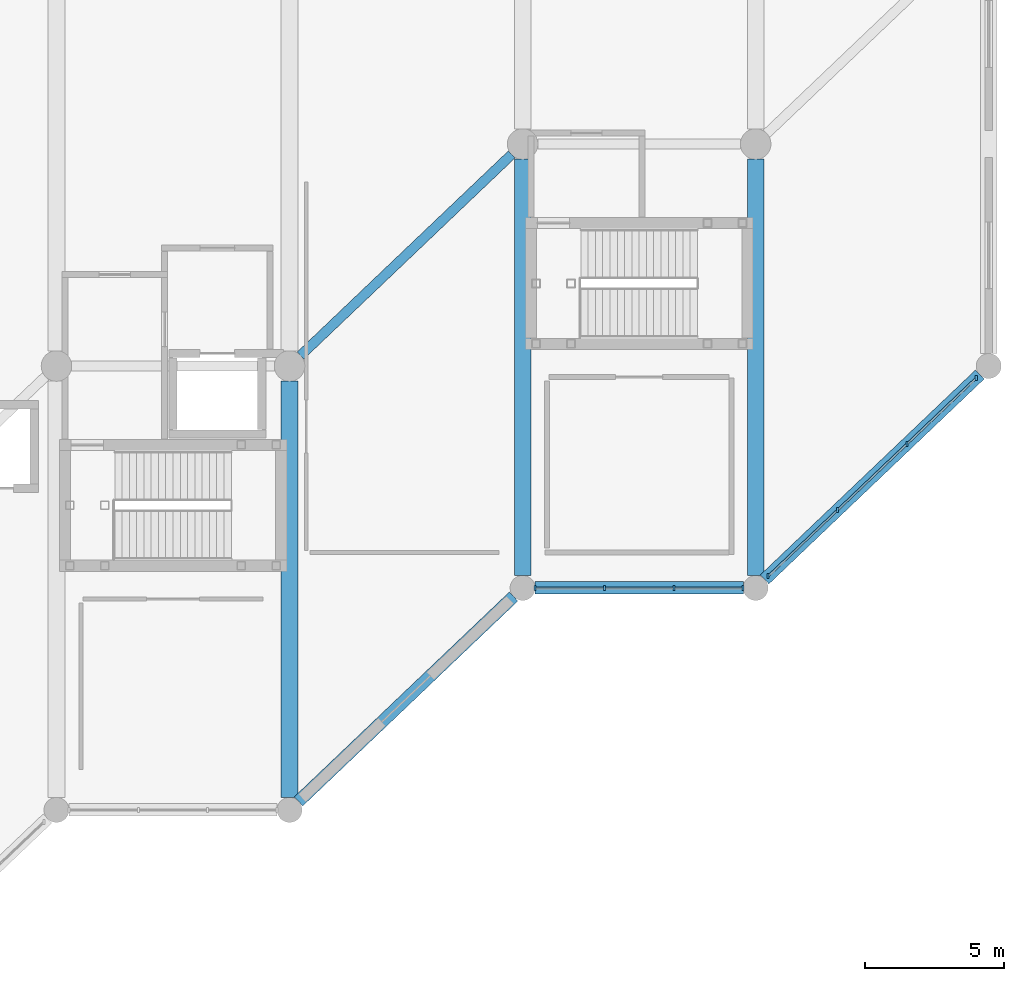
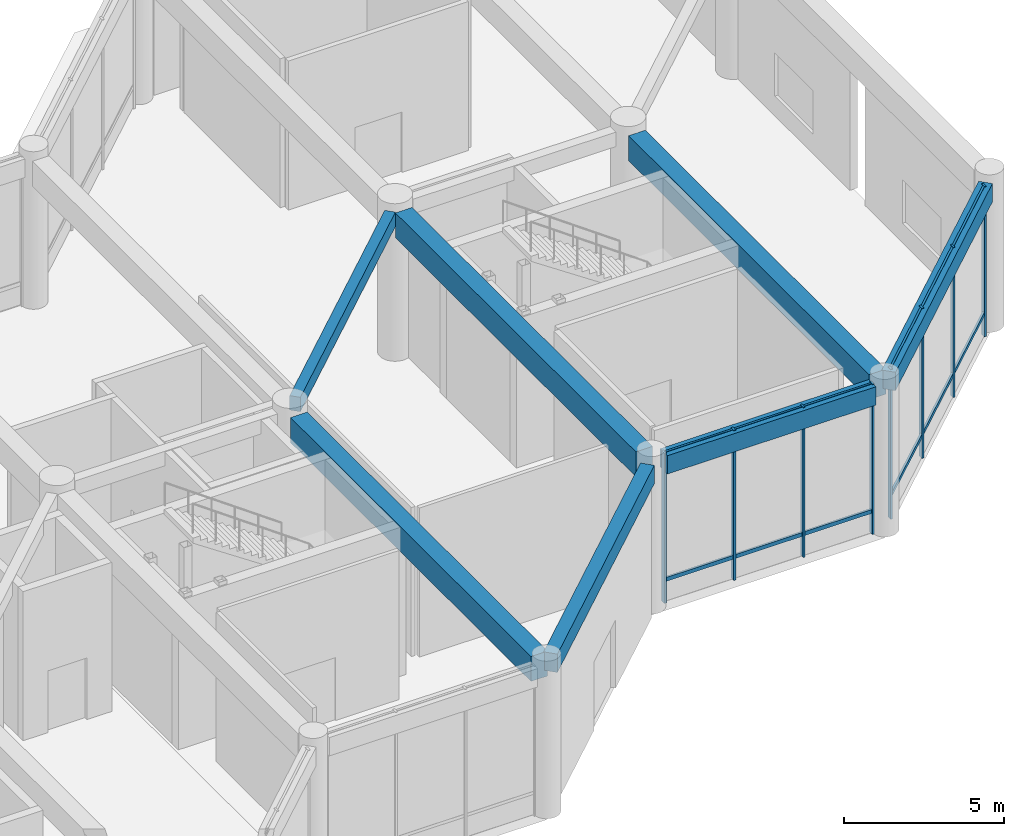
# One storey, part 40 of 76: 20 members, 7 beams, 2 elements without a shape of their own.
"""IFC4 building model written with IfcOpenShell, lengths in metres."""

from ifc_helpers import new_model, si_unit, direction, frame, origin, origin_2d, place, context, subcontext, project, spatial, rectangle, extrude, material, layer, layer_set, material_profile, profile_set, type_object, element, aggregate, save


model = new_model("IFC4")

# Units and contexts
model_context = context("Model", 3, precision=1e-05, world=origin(), true_north=direction((0.0, 1.0)))
body_context = subcontext(model_context, "Body", "Model", "MODEL_VIEW")
ifc_project = project(units=[si_unit("LENGTHUNIT", "METRE"), si_unit("AREAUNIT", "SQUARE_METRE"), si_unit("VOLUMEUNIT", "CUBIC_METRE"), si_unit("PLANEANGLEUNIT", "RADIAN"), si_unit("MASSUNIT", "GRAM", prefix="KILO")], contexts=[model_context])

# Site, building, storey
site_placement = place(None, origin())
site = spatial("IfcSite", under=ifc_project, at=site_placement, CompositionType="ELEMENT")
building_placement = place(site_placement, origin())
building = spatial("IfcBuilding", under=site, at=building_placement, Name="Naruveol Harbour Congress Hotel", CompositionType="ELEMENT")
storey_placement = place(building_placement, origin())
storey = spatial("IfcBuildingStorey", under=building, at=storey_placement, Name="L00", CompositionType="ELEMENT", Elevation=0.0)

# Beams
ifc_material_1 = material(Name="Concrete C40/50", Category="concrete")
ifc_material_profile_1 = material_profile(ifc_material_1, rectangle(XDim=0.60009765625, YDim=0.949951171875, at=origin_2d()), Name="RCB-600x950")
ifc_profile_set_1 = profile_set([ifc_material_profile_1], Name="Concrete C40/50")
beam_type_1 = type_object("IfcBeamType", Name="RC LONG SPAN GIRDER 600X950", PredefinedType="BEAM", material=ifc_profile_set_1)
for number, where, z_axis, x_axis, name in (
    (1, (159.60009765625, 8.446044921875, 5.22509765625), (0.0, 1.0, 0.0), (-1.0, 0.0, 0.0), "Hotel pilotis girder L01 CB1"),
    (2, (168.0, 16.446044921875, 5.22509765625), (0.0, 1.0, 0.0), (-1.0, 0.0, 0.0), "Hotel pilotis girder L01 CB1"),
    (3, (176.39990234375, 16.446044921875, 5.22509765625), (0.0, 1.0, 0.0), (-1.0, 0.0, 0.0), "Hotel pilotis girder L01 CB1"),
):
    element("IfcBeam", number, at=place(storey_placement, frame(where, z_axis=z_axis, x_axis=x_axis)), inside=storey, type_object=beam_type_1, Name=name, PredefinedType="BEAM", context=body_context, shape_type="SweptSolid", body=[
        extrude(rectangle(XDim=0.60009765625, YDim=0.949951171875, at=origin_2d()), origin(), (0.0, 0.0, 1.0), 15.008056640625),
    ])
ifc_material_2 = material(Name="Concrete C40/50", Category="concrete")
ifc_material_profile_2 = material_profile(ifc_material_2, rectangle(XDim=0.35009765625, YDim=0.550048828125, at=origin_2d()), Name="RCB-350x550")
ifc_profile_set_2 = profile_set([ifc_material_profile_2], Name="Concrete C40/50")
beam_type_2 = type_object("IfcBeamType", Name="RC SECONDARY BEAM 350X550", PredefinedType="JOIST", material=ifc_profile_set_2)
beam_1_placement = place(storey_placement, frame((159.995361328125, 24.376708984375, 5.425048828125), z_axis=(0.724147876737, 0.689644729275, 0.0), x_axis=(-0.689644729275, 0.724147876737, 0.0)))
element("IfcBeam", 4, at=beam_1_placement, inside=storey, type_object=beam_type_2, Name="Hotel chord beam L01 CJ1", PredefinedType="JOIST", context=body_context, shape_type="SweptSolid", body=[
    extrude(rectangle(XDim=0.35009765625, YDim=0.550048828125, at=origin_2d()), origin(), (0.0, 0.0, 1.0), 10.5078125),
])
ifc_material_3 = material(Name="Concrete C40/50", Category="concrete")
ifc_material_profile_3 = material_profile(ifc_material_3, rectangle(XDim=0.449951171875, YDim=0.699951171875, at=origin_2d()), Name="RCB-450x700")
ifc_profile_set_3 = profile_set([ifc_material_profile_3], Name="Concrete C40/50")
beam_type_3 = type_object("IfcBeamType", Name="RC SPANDREL BEAM 450X700", PredefinedType="SPANDREL", material=ifc_profile_set_3)
beam_2_placement = place(storey_placement, frame((159.923095703125, 8.3076171875, 5.35009765625), z_axis=(0.724133593293, 0.689659727013, 0.0), x_axis=(-0.689659727013, 0.724133593293, 0.0)))
element("IfcBeam", 5, at=beam_2_placement, inside=storey, type_object=beam_type_3, Name="Hotel chord beam L01 SPB1", PredefinedType="SPANDREL", context=body_context, shape_type="SweptSolid", body=[
    extrude(rectangle(XDim=0.449951171875, YDim=0.699951171875, at=origin_2d()), origin(), (0.0, 0.0, 1.0), 10.707763671875),
])
beam_3_placement = place(storey_placement, frame((168.446044921875, 16.0, 5.35009765625), z_axis=(1.0, 0.0, 0.0), x_axis=(0.0, 1.0, 0.0)))
element("IfcBeam", 6, at=beam_3_placement, inside=storey, type_object=beam_type_3, Name="Hotel chord beam L01 SPB1", PredefinedType="SPANDREL", context=body_context, shape_type="SweptSolid", body=[
    extrude(rectangle(XDim=0.449951171875, YDim=0.699951171875, at=origin_2d()), origin(), (0.0, 0.0, 1.0), 7.508056640625),
])
beam_4_placement = place(storey_placement, frame((176.722900390625, 16.3076171875, 5.35009765625), z_axis=(0.724144437485, 0.689648340576, 0.0), x_axis=(-0.689648340576, 0.724144437485, 0.0)))
element("IfcBeam", 7, at=beam_4_placement, inside=storey, type_object=beam_type_3, Name="Hotel chord beam L01 SPB1", PredefinedType="SPANDREL", context=body_context, shape_type="SweptSolid", body=[
    extrude(rectangle(XDim=0.449951171875, YDim=0.699951171875, at=origin_2d()), origin(), (0.0, 0.0, 1.0), 10.7080078125),
])

# Curtain wall, members
ifc_material_4 = material(Name="Low-E Curtain Wall System", Category="glass")
ifc_layer_1 = layer(ifc_material_4, 0.179931640625)
ifc_layer_set_1 = layer_set([ifc_layer_1], Name="Low-E Curtain Wall System")
curtain_wall_type_1 = type_object("IfcCurtainWallType", Name="UNITISED CURTAIN WALL CW-V5S-46 7500X5720", PredefinedType="USERDEFINED", material=ifc_layer_set_1)
curtain_wall_1_placement = place(storey_placement, origin())
curtain_wall_1 = element("IfcCurtainWall", 8, at=curtain_wall_1_placement, inside=storey, type_object=curtain_wall_type_1, Name="Unitised curtain wall CW-V5S-46 L00", ObjectType="UNITISED GLAZING", PredefinedType="USERDEFINED")
ifc_material_5 = material(Name="Anodised Aluminium 6063-T6", Category="aluminium")
ifc_material_profile_4 = material_profile(ifc_material_5, rectangle(XDim=0.074951171875, YDim=0.179931640625, at=origin_2d()), Name="ALU-75x180")
ifc_profile_set_4 = profile_set([ifc_material_profile_4], Name="Anodised Aluminium 6063-T6")
member_type_1 = type_object("IfcMemberType", Name="THERMAL ALUMINIUM MULLION 75X180", PredefinedType="MULLION", material=ifc_profile_set_4)
member_1_placement = place(storey_placement, frame((175.949951171875, 16.0, 0.0), z_axis=(0.0, 0.0, 1.0), x_axis=(1.0, 0.0, 0.0)))
member_1 = element("IfcMember", 9, at=member_1_placement, type_object=member_type_1, Name="Curtain wall mullion CW-L00-0133-M0", PredefinedType="MULLION", context=body_context, shape_type="SweptSolid", body=[
    extrude(rectangle(XDim=0.074951171875, YDim=0.179931640625, at=origin_2d()), origin(), (0.0, 0.0, 1.0), 5.719970703125),
])
member_2_placement = place(storey_placement, frame((173.449951171875, 16.0, 0.0), z_axis=(0.0, 0.0, 1.0), x_axis=(1.0, 0.0, 0.0)))
member_2 = element("IfcMember", 10, at=member_2_placement, type_object=member_type_1, Name="Curtain wall mullion CW-L00-0133-M1", PredefinedType="MULLION", context=body_context, shape_type="SweptSolid", body=[
    extrude(rectangle(XDim=0.074951171875, YDim=0.179931640625, at=origin_2d()), origin(), (0.0, 0.0, 1.0), 5.719970703125),
])
member_3_placement = place(storey_placement, frame((170.949951171875, 16.0, 0.0), z_axis=(0.0, 0.0, 1.0), x_axis=(1.0, 0.0, 0.0)))
member_3 = element("IfcMember", 11, at=member_3_placement, type_object=member_type_1, Name="Curtain wall mullion CW-L00-0133-M2", PredefinedType="MULLION", context=body_context, shape_type="SweptSolid", body=[
    extrude(rectangle(XDim=0.074951171875, YDim=0.179931640625, at=origin_2d()), origin(), (0.0, 0.0, 1.0), 5.719970703125),
])
member_4_placement = place(storey_placement, frame((168.449951171875, 16.0, 0.0), z_axis=(0.0, 0.0, 1.0), x_axis=(1.0, 0.0, 0.0)))
member_4 = element("IfcMember", 12, at=member_4_placement, type_object=member_type_1, Name="Curtain wall mullion CW-L00-0133-M3", PredefinedType="MULLION", context=body_context, shape_type="SweptSolid", body=[
    extrude(rectangle(XDim=0.074951171875, YDim=0.179931640625, at=origin_2d()), origin(), (0.0, 0.0, 1.0), 5.719970703125),
])

ifc_material_6 = material(Name="Low-E Curtain Wall System", Category="glass")
ifc_layer_2 = layer(ifc_material_6, 0.179931640625)
ifc_layer_set_2 = layer_set([ifc_layer_2], Name="Low-E Curtain Wall System")
curtain_wall_type_2 = type_object("IfcCurtainWallType", Name="UNITISED CURTAIN WALL CW-V5S-48 10357X5720", PredefinedType="USERDEFINED", material=ifc_layer_set_2)
curtain_wall_2_placement = place(storey_placement, origin())
curtain_wall_2 = element("IfcCurtainWall", 13, at=curtain_wall_2_placement, inside=storey, type_object=curtain_wall_type_2, Name="Unitised curtain wall CW-V5S-48 L00", ObjectType="UNITISED GLAZING", PredefinedType="USERDEFINED")
member_5_placement = place(storey_placement, frame((184.35009765625, 23.571044921875, 0.0), z_axis=(0.0, 0.0, 1.0), x_axis=(1.0, 0.0, 0.0)))
member_5 = element("IfcMember", 14, at=member_5_placement, type_object=member_type_1, Name="Curtain wall mullion CW-L00-0134-M0", PredefinedType="MULLION", context=body_context, shape_type="SweptSolid", body=[
    extrude(rectangle(XDim=0.074951171875, YDim=0.179931640625, at=origin_2d()), origin(), (0.0, 0.0, 1.0), 5.719970703125),
])
member_6_placement = place(storey_placement, frame((181.85009765625, 21.190185546875, 0.0), z_axis=(0.0, 0.0, 1.0), x_axis=(1.0, 0.0, 0.0)))
member_6 = element("IfcMember", 15, at=member_6_placement, type_object=member_type_1, Name="Curtain wall mullion CW-L00-0134-M1", PredefinedType="MULLION", context=body_context, shape_type="SweptSolid", body=[
    extrude(rectangle(XDim=0.074951171875, YDim=0.179931640625, at=origin_2d()), origin(), (0.0, 0.0, 1.0), 5.719970703125),
])
member_7_placement = place(storey_placement, frame((179.35009765625, 18.809814453125, 0.0), z_axis=(0.0, 0.0, 1.0), x_axis=(1.0, 0.0, 0.0)))
member_7 = element("IfcMember", 16, at=member_7_placement, type_object=member_type_1, Name="Curtain wall mullion CW-L00-0134-M2", PredefinedType="MULLION", context=body_context, shape_type="SweptSolid", body=[
    extrude(rectangle(XDim=0.074951171875, YDim=0.179931640625, at=origin_2d()), origin(), (0.0, 0.0, 1.0), 5.719970703125),
])
member_8_placement = place(storey_placement, frame((176.85009765625, 16.428955078125, 0.0), z_axis=(0.0, 0.0, 1.0), x_axis=(1.0, 0.0, 0.0)))
member_8 = element("IfcMember", 17, at=member_8_placement, type_object=member_type_1, Name="Curtain wall mullion CW-L00-0134-M3", PredefinedType="MULLION", context=body_context, shape_type="SweptSolid", body=[
    extrude(rectangle(XDim=0.074951171875, YDim=0.179931640625, at=origin_2d()), origin(), (0.0, 0.0, 1.0), 5.719970703125),
])

# Member
ifc_material_7 = material(Name="Anodised Aluminium 6063-T6", Category="aluminium")
ifc_material_profile_5 = material_profile(ifc_material_7, rectangle(XDim=0.074951171875, YDim=0.14990234375, at=origin_2d()), Name="ALU-75x150")
ifc_profile_set_5 = profile_set([ifc_material_profile_5], Name="Anodised Aluminium 6063-T6")
member_type_2 = type_object("IfcMemberType", Name="THERMAL ALUMINIUM TRANSOM 75X150", PredefinedType="USERDEFINED", material=ifc_profile_set_5)
member_9_placement = place(storey_placement, frame((175.909912109375, 16.0, 0.85009765625), z_axis=(-1.0, 0.0, 0.0), x_axis=(0.0, -1.0, 0.0)))
member_9 = element("IfcMember", 18, at=member_9_placement, type_object=member_type_2, Name="Curtain wall transom CW-L00-0133-T0.1", ObjectType="TRANSOM", PredefinedType="USERDEFINED", context=body_context, shape_type="SweptSolid", body=[
    extrude(rectangle(XDim=0.074951171875, YDim=0.14990234375, at=origin_2d()), origin(), (0.0, 0.0, 1.0), 2.419921875),
])

member_10_placement = place(storey_placement, frame((175.909912109375, 16.0, 5.639892578125), z_axis=(-1.0, 0.0, 0.0), x_axis=(0.0, -1.0, 0.0)))
member_10 = element("IfcMember", 19, at=member_10_placement, type_object=member_type_2, Name="Curtain wall transom CW-L00-0133-T0.2", ObjectType="TRANSOM", PredefinedType="USERDEFINED", context=body_context, shape_type="SweptSolid", body=[
    extrude(rectangle(XDim=0.074951171875, YDim=0.14990234375, at=origin_2d()), origin(), (0.0, 0.0, 1.0), 2.419921875),
])

member_11_placement = place(storey_placement, frame((173.409912109375, 16.0, 0.85009765625), z_axis=(-1.0, 0.0, 0.0), x_axis=(0.0, -1.0, 0.0)))
member_11 = element("IfcMember", 20, at=member_11_placement, type_object=member_type_2, Name="Curtain wall transom CW-L00-0133-T1.1", ObjectType="TRANSOM", PredefinedType="USERDEFINED", context=body_context, shape_type="SweptSolid", body=[
    extrude(rectangle(XDim=0.074951171875, YDim=0.14990234375, at=origin_2d()), origin(), (0.0, 0.0, 1.0), 2.419921875),
])

member_12_placement = place(storey_placement, frame((173.409912109375, 16.0, 5.639892578125), z_axis=(-1.0, 0.0, 0.0), x_axis=(0.0, -1.0, 0.0)))
member_12 = element("IfcMember", 21, at=member_12_placement, type_object=member_type_2, Name="Curtain wall transom CW-L00-0133-T1.2", ObjectType="TRANSOM", PredefinedType="USERDEFINED", context=body_context, shape_type="SweptSolid", body=[
    extrude(rectangle(XDim=0.074951171875, YDim=0.14990234375, at=origin_2d()), origin(), (0.0, 0.0, 1.0), 2.419921875),
])

member_13_placement = place(storey_placement, frame((170.909912109375, 16.0, 0.85009765625), z_axis=(-1.0, 0.0, 0.0), x_axis=(0.0, -1.0, 0.0)))
member_13 = element("IfcMember", 22, at=member_13_placement, type_object=member_type_2, Name="Curtain wall transom CW-L00-0133-T2.1", ObjectType="TRANSOM", PredefinedType="USERDEFINED", context=body_context, shape_type="SweptSolid", body=[
    extrude(rectangle(XDim=0.074951171875, YDim=0.14990234375, at=origin_2d()), origin(), (0.0, 0.0, 1.0), 2.419921875),
])

member_14_placement = place(storey_placement, frame((170.909912109375, 16.0, 5.639892578125), z_axis=(-1.0, 0.0, 0.0), x_axis=(0.0, -1.0, 0.0)))
member_14 = element("IfcMember", 23, at=member_14_placement, type_object=member_type_2, Name="Curtain wall transom CW-L00-0133-T2.2", ObjectType="TRANSOM", PredefinedType="USERDEFINED", context=body_context, shape_type="SweptSolid", body=[
    extrude(rectangle(XDim=0.074951171875, YDim=0.14990234375, at=origin_2d()), origin(), (0.0, 0.0, 1.0), 2.419921875),
])

aggregate(curtain_wall_1, [member_1, member_2, member_3, member_4, member_9, member_10, member_11, member_12, member_13, member_14])

member_15_placement = place(storey_placement, frame((184.321044921875, 23.54345703125, 0.85009765625), z_axis=(-0.724198188282, -0.689591896769, 0.0), x_axis=(0.689591896769, -0.724198188282, 0.0)))
member_15 = element("IfcMember", 24, at=member_15_placement, type_object=member_type_2, Name="Curtain wall transom CW-L00-0134-T0.1", ObjectType="TRANSOM", PredefinedType="USERDEFINED", context=body_context, shape_type="SweptSolid", body=[
    extrude(rectangle(XDim=0.074951171875, YDim=0.14990234375, at=origin_2d()), origin(), (0.0, 0.0, 1.0), 3.372314453125),
])

member_16_placement = place(storey_placement, frame((184.321044921875, 23.54345703125, 5.639892578125), z_axis=(-0.724198188282, -0.689591896769, 0.0), x_axis=(0.689591896769, -0.724198188282, 0.0)))
member_16 = element("IfcMember", 25, at=member_16_placement, type_object=member_type_2, Name="Curtain wall transom CW-L00-0134-T0.2", ObjectType="TRANSOM", PredefinedType="USERDEFINED", context=body_context, shape_type="SweptSolid", body=[
    extrude(rectangle(XDim=0.074951171875, YDim=0.14990234375, at=origin_2d()), origin(), (0.0, 0.0, 1.0), 3.372314453125),
])

member_17_placement = place(storey_placement, frame((181.821044921875, 21.162841796875, 0.85009765625), z_axis=(-0.724162033393, -0.689629864051, 0.0), x_axis=(0.689629864051, -0.724162033393, 0.0)))
member_17 = element("IfcMember", 26, at=member_17_placement, type_object=member_type_2, Name="Curtain wall transom CW-L00-0134-T1.1", ObjectType="TRANSOM", PredefinedType="USERDEFINED", context=body_context, shape_type="SweptSolid", body=[
    extrude(rectangle(XDim=0.074951171875, YDim=0.14990234375, at=origin_2d()), origin(), (0.0, 0.0, 1.0), 3.372314453125),
])

member_18_placement = place(storey_placement, frame((181.821044921875, 21.162841796875, 5.639892578125), z_axis=(-0.724162033393, -0.689629864051, 0.0), x_axis=(0.689629864051, -0.724162033393, 0.0)))
member_18 = element("IfcMember", 27, at=member_18_placement, type_object=member_type_2, Name="Curtain wall transom CW-L00-0134-T1.2", ObjectType="TRANSOM", PredefinedType="USERDEFINED", context=body_context, shape_type="SweptSolid", body=[
    extrude(rectangle(XDim=0.074951171875, YDim=0.14990234375, at=origin_2d()), origin(), (0.0, 0.0, 1.0), 3.372314453125),
])

member_19_placement = place(storey_placement, frame((179.321044921875, 18.781982421875, 0.85009765625), z_axis=(-0.724198188282, -0.689591896769, 0.0), x_axis=(0.689591896769, -0.724198188282, 0.0)))
member_19 = element("IfcMember", 28, at=member_19_placement, type_object=member_type_2, Name="Curtain wall transom CW-L00-0134-T2.1", ObjectType="TRANSOM", PredefinedType="USERDEFINED", context=body_context, shape_type="SweptSolid", body=[
    extrude(rectangle(XDim=0.074951171875, YDim=0.14990234375, at=origin_2d()), origin(), (0.0, 0.0, 1.0), 3.372314453125),
])

member_20_placement = place(storey_placement, frame((179.321044921875, 18.781982421875, 5.639892578125), z_axis=(-0.724198188282, -0.689591896769, 0.0), x_axis=(0.689591896769, -0.724198188282, 0.0)))
member_20 = element("IfcMember", 29, at=member_20_placement, type_object=member_type_2, Name="Curtain wall transom CW-L00-0134-T2.2", ObjectType="TRANSOM", PredefinedType="USERDEFINED", context=body_context, shape_type="SweptSolid", body=[
    extrude(rectangle(XDim=0.074951171875, YDim=0.14990234375, at=origin_2d()), origin(), (0.0, 0.0, 1.0), 3.372314453125),
])

aggregate(curtain_wall_2, [member_5, member_6, member_7, member_8, member_15, member_16, member_17, member_18, member_19, member_20])

save(model, "model.ifc")
